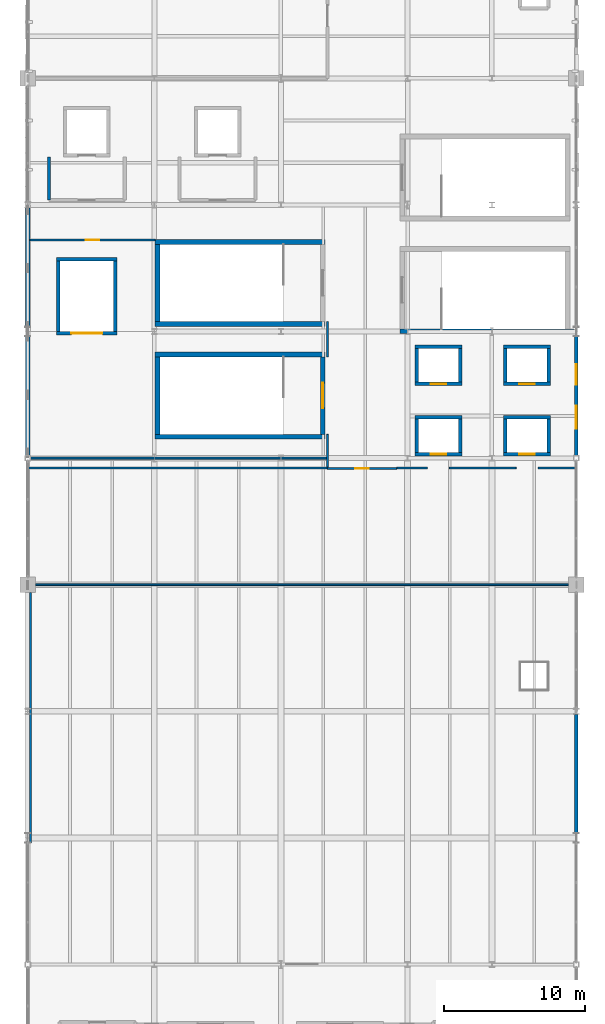
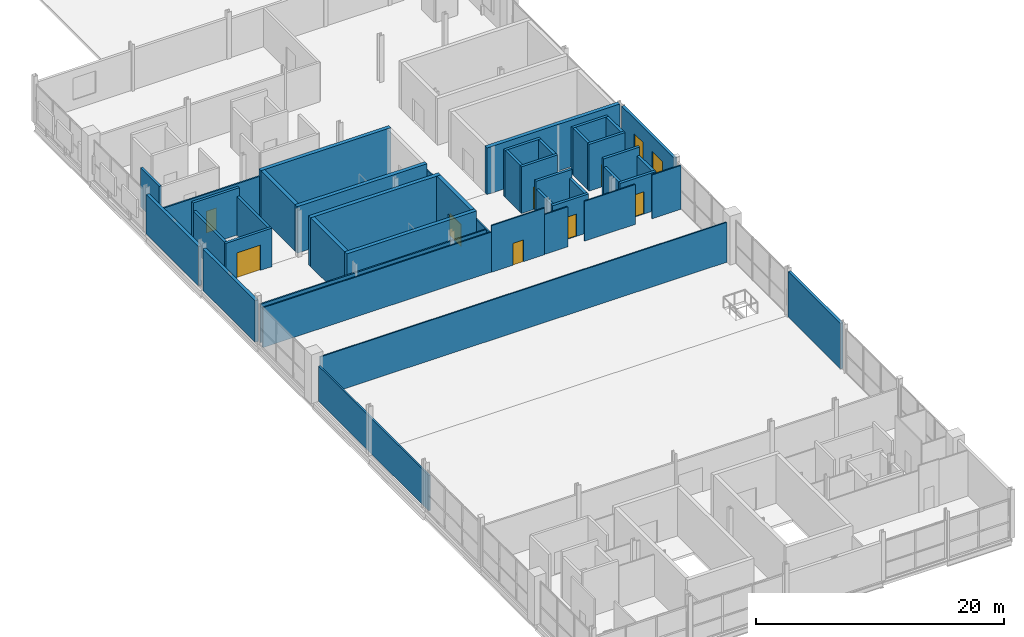
# One storey, part 25 of 29: 44 walls, 8 doors, 2 windows, 10 openings.
"""IFC4 building model written with IfcOpenShell, lengths in metres."""

from ifc_helpers import new_model, si_unit, direction, frame, frame_2d, origin, place, context, subcontext, project, spatial, rectangle, extrude, material, layer, layer_set, type_object, element, fill, save


model = new_model("IFC4")

# Units and contexts
model_context = context("Model", 3, precision=1e-05, world=origin(), true_north=direction((0.0, 1.0)))
body_context = subcontext(model_context, "Body", "Model", "MODEL_VIEW")
ifc_project = project(units=[si_unit("LENGTHUNIT", "METRE"), si_unit("AREAUNIT", "SQUARE_METRE"), si_unit("VOLUMEUNIT", "CUBIC_METRE"), si_unit("PLANEANGLEUNIT", "RADIAN"), si_unit("MASSUNIT", "GRAM", prefix="KILO")], contexts=[model_context])

# Site, building, storey
site_placement = place(None, origin())
site = spatial("IfcSite", under=ifc_project, at=site_placement, CompositionType="ELEMENT")
building_placement = place(site_placement, origin())
building = spatial("IfcBuilding", under=site, at=building_placement, Name="Qamarlyn Nura Convention Centre", CompositionType="ELEMENT")
storey_placement = place(building_placement, frame((0.0, 0.0, 25.199951171875)))
storey = spatial("IfcBuildingStorey", under=building, at=storey_placement, Name="L05", CompositionType="ELEMENT", Elevation=25.199951171875)

# Walls
ifc_material_1 = material(Name="Fire-rated acoustic gypsum board and mineral wool EI 120")
ifc_layer_1 = layer(ifc_material_1, 0.219970703125, Name="WT-COMP-220")
ifc_layer_set_1 = layer_set([ifc_layer_1], Name="Fire-rated acoustic gypsum board and mineral wool EI 120")
wall_type_1 = type_object("IfcWallType", Name="WT-COMP-220", PredefinedType="SOLIDWALL", material=ifc_layer_set_1)
wall_1_placement = place(storey_placement, frame((154.5, 72.35009765625, 0.0), z_axis=(0.0, 0.0, 1.0), x_axis=(0.0, 1.0, 0.0)))
element("IfcWall", 1, at=wall_1_placement, inside=storey, type_object=wall_type_1, Name="L05 firefighting lobby barrier wall FFL-03-W", PredefinedType="SOLIDWALL", context=body_context, shape_type="SweptSolid", body=[
    extrude(rectangle(XDim=3.0498046875, YDim=0.219970703125, at=frame_2d((1.52490234375, 0.0))), origin(), (0.0, 0.0, 1.0), 3.80712890625),
])
ifc_material_2 = material(Name="Concrete C50/60", Category="concrete")
ifc_layer_2 = layer(ifc_material_2, 0.35009765625, Name="WT-CORE-350")
ifc_layer_set_2 = layer_set([ifc_layer_2], Name="Concrete C50/60")
wall_type_2 = type_object("IfcWallType", Name="WT-CORE-350", PredefinedType="SHEAR", material=ifc_layer_set_2)
for number, where, z_axis, x_axis, name in (
    (2, (162.050048828125, 55.52490234375, 0.0), (0.0, 0.0, 1.0), (1.0, 0.0, 0.0), "L05 stair core shear wall ST-11-S"),
    (3, (174.14990234375, 61.375, 0.0), (0.0, 0.0, 1.0), (-1.0, 0.0, 0.0), "L05 stair core shear wall ST-11-N"),
):
    element("IfcWall", number, at=place(storey_placement, frame(where, z_axis=z_axis, x_axis=x_axis)), inside=storey, type_object=wall_type_2, Name=name, PredefinedType="SHEAR", context=body_context, shape_type="SweptSolid", body=[
        extrude(rectangle(XDim=12.099853515625, YDim=0.35009765625, at=frame_2d((6.0498046875, 0.0))), origin(), (0.0, 0.0, 1.0), 4.800048828125),
    ])
wall_2_placement = place(storey_placement, frame((162.22509765625, 61.199951171875, 0.0), z_axis=(0.0, 0.0, 1.0), x_axis=(0.0, -1.0, 0.0)))
element("IfcWall", 4, at=wall_2_placement, inside=storey, type_object=wall_type_2, Name="L05 stair core shear wall ST-11-W", PredefinedType="SHEAR", context=body_context, shape_type="SweptSolid", body=[
    extrude(rectangle(XDim=5.5, YDim=0.35009765625, at=frame_2d((2.75, 0.0))), origin(), (0.0, 0.0, 1.0), 4.800048828125),
])

# Wall, opening, door
wall_3_placement = place(storey_placement, frame((173.97509765625, 55.699951171875, 0.0), z_axis=(0.0, 0.0, 1.0), x_axis=(0.0, 1.0, 0.0)))
wall_3 = element("IfcWall", 5, at=wall_3_placement, inside=storey, type_object=wall_type_2, Name="L05 stair core shear wall ST-11-E", PredefinedType="SHEAR", context=body_context, shape_type="SweptSolid", body=[
    extrude(rectangle(XDim=5.5, YDim=0.35009765625, at=frame_2d((2.75, 0.0))), origin(), (0.0, 0.0, 1.0), 4.800048828125),
])
opening_1_placement = place(wall_3_placement, frame((1.85009765625, 0.0, 0.0)))
opening_1 = element("IfcOpeningElement", 6, at=opening_1_placement, cuts=wall_3, Name="Opening DS-049", PredefinedType="OPENING", context=body_context, shape_type="SweptSolid", body=[
    extrude(rectangle(XDim=1.800048828125, YDim=2.199951171875, at=frame_2d((0.89990234375, 1.10009765625))), frame((0.0, 0.18505859375, 0.0), z_axis=(0.0, -1.0, 0.0), x_axis=(1.0, 0.0, 0.0)), (0.0, 0.0, 1.0), 0.3701171875),
])
ifc_material_3 = material(Name="Galvanised fire-rated hollow steel door", Category="steel")
door_type_1 = type_object("IfcDoorType", Name="DR-STAIR-1800", OperationType="DOUBLE_DOOR_SINGLE_SWING", PredefinedType="DOOR", material=ifc_material_3)
door_1_placement = place(opening_1_placement, origin())
door_1 = element("IfcDoor", 7, at=door_1_placement, inside=storey, type_object=door_type_1, Name="L05 exit stair door ST-11 (DS-049)", OperationType="DOUBLE_DOOR_SINGLE_SWING", OverallHeight=2.199951171875, OverallWidth=1.800048828125, PredefinedType="DOOR", context=body_context, shape_type="SweptSolid", body=[
    extrude(rectangle(XDim=1.800048828125, YDim=2.199951171875, at=frame_2d((0.89990234375, 1.10009765625))), frame((0.0, 0.02490234375, 0.0), z_axis=(0.0, -1.0, 0.0), x_axis=(1.0, 0.0, 0.0)), (0.0, 0.0, 1.0), 0.050048828125),
])
fill(opening_1, door_1)

# Walls
for number, where, z_axis, x_axis, name in (
    (8, (162.050048828125, 63.52490234375, 0.0), (0.0, 0.0, 1.0), (1.0, 0.0, 0.0), "L05 stair core shear wall ST-12-S"),
    (9, (174.14990234375, 69.375, 0.0), (0.0, 0.0, 1.0), (-1.0, 0.0, 0.0), "L05 stair core shear wall ST-12-N"),
):
    element("IfcWall", number, at=place(storey_placement, frame(where, z_axis=z_axis, x_axis=x_axis)), inside=storey, type_object=wall_type_2, Name=name, PredefinedType="SHEAR", context=body_context, shape_type="SweptSolid", body=[
        extrude(rectangle(XDim=12.099853515625, YDim=0.35009765625, at=frame_2d((6.0498046875, 0.0))), origin(), (0.0, 0.0, 1.0), 4.594970703125),
    ])
wall_4_placement = place(storey_placement, frame((162.22509765625, 69.199951171875, 0.0), z_axis=(0.0, 0.0, 1.0), x_axis=(0.0, -1.0, 0.0)))
element("IfcWall", 10, at=wall_4_placement, inside=storey, type_object=wall_type_2, Name="L05 stair core shear wall ST-12-W", PredefinedType="SHEAR", context=body_context, shape_type="SweptSolid", body=[
    extrude(rectangle(XDim=5.5, YDim=0.35009765625, at=frame_2d((2.75, 0.0))), origin(), (0.0, 0.0, 1.0), 4.594970703125),
])
wall_5_placement = place(storey_placement, frame((179.449951171875, 63.02490234375, 0.0), z_axis=(0.0, 0.0, 1.0), x_axis=(1.0, 0.0, 0.0)))
element("IfcWall", 11, at=wall_5_placement, inside=storey, type_object=wall_type_2, Name="L05 stair core shear wall ST-13-S", PredefinedType="SHEAR", context=body_context, shape_type="SweptSolid", body=[
    extrude(rectangle(XDim=12.37255859375, YDim=0.35009765625, at=frame_2d((6.186279296875, 0.0))), origin(), (0.0, 0.0, 1.0), 4.594970703125),
])
ifc_material_4 = material(Name="Concrete C40/50", Category="concrete")
ifc_layer_3 = layer(ifc_material_4, 0.260009765625, Name="WT-EXT-260")
ifc_layer_set_3 = layer_set([ifc_layer_3], Name="Concrete C40/50")
wall_type_3 = type_object("IfcWallType", Name="WT-EXT-260", PredefinedType="SOLIDWALL", material=ifc_layer_set_3)
wall_6_placement = place(storey_placement, frame((192.0, 35.78759765625, 0.0), z_axis=(0.0, 0.0, 1.0), x_axis=(0.0, -1.0, 0.0)))
element("IfcWall", 12, at=wall_6_placement, inside=storey, type_object=wall_type_3, Name="L05 exterior facade wall WEXT-L05-1920-358-1920-273", PredefinedType="SOLIDWALL", context=body_context, shape_type="SweptSolid", body=[
    extrude(rectangle(XDim=8.440185546875, YDim=0.260009765625, at=frame_2d((4.22021484375, 0.0))), origin(), (0.0, 0.0, 1.0), 4.485107421875),
])

# Wall, openings, windows
wall_7_placement = place(storey_placement, frame((192.0, 62.652587890625, 0.0), z_axis=(0.0, 0.0, 1.0), x_axis=(0.0, -1.0, 0.0)))
wall_7 = element("IfcWall", 13, at=wall_7_placement, inside=storey, type_object=wall_type_3, Name="L05 exterior facade wall WEXT-L05-1920-627-1920-542", PredefinedType="SOLIDWALL", context=body_context, shape_type="SweptSolid", body=[
    extrude(rectangle(XDim=8.45263671875, YDim=0.260009765625, at=frame_2d((4.226318359375, 0.0))), origin(), (0.0, 0.0, 1.0), 4.485107421875),
])
opening_2_placement = place(wall_7_placement, frame((1.988037109375, 0.0, 0.949951171875)))
opening_2 = element("IfcOpeningElement", 14, at=opening_2_placement, cuts=wall_7, Name="Opening WN13", PredefinedType="OPENING", context=body_context, shape_type="SweptSolid", body=[
    extrude(rectangle(XDim=1.449951171875, YDim=2.050048828125, at=frame_2d((0.72509765625, 1.02490234375))), frame((0.0, 0.14013671875, 0.0), z_axis=(0.0, -1.0, 0.0), x_axis=(1.0, 0.0, 0.0)), (0.0, 0.0, 1.0), 0.280029296875),
])
opening_3_placement = place(wall_7_placement, frame((4.914306640625, 0.0, 0.949951171875)))
opening_3 = element("IfcOpeningElement", 15, at=opening_3_placement, cuts=wall_7, Name="Opening WN14", PredefinedType="OPENING", context=body_context, shape_type="SweptSolid", body=[
    extrude(rectangle(XDim=1.64990234375, YDim=2.050048828125, at=frame_2d((0.824951171875, 1.02490234375))), frame((0.0, 0.14013671875, 0.0), z_axis=(0.0, -1.0, 0.0), x_axis=(1.0, 0.0, 0.0)), (0.0, 0.0, 1.0), 0.280029296875),
])
ifc_material_5 = material(Name="Double-silver low-E insulated glass", Category="glass")
window_type_1 = type_object("IfcWindowType", Name="WIN-SOL-13", PartitioningType="SINGLE_PANEL", PredefinedType="WINDOW", material=ifc_material_5)
window_1_placement = place(opening_2_placement, origin())
window_1 = element("IfcWindow", 16, at=window_1_placement, inside=storey, type_object=window_type_1, Name="L05 solar-control window 061", OverallHeight=2.050048828125, OverallWidth=1.449951171875, PartitioningType="SINGLE_PANEL", PredefinedType="WINDOW", context=body_context, shape_type="SweptSolid", body=[
    extrude(rectangle(XDim=1.449951171875, YDim=2.050048828125, at=frame_2d((0.72509765625, 1.02490234375))), frame((0.0, 0.030029296875, 0.0), z_axis=(0.0, -1.0, 0.0), x_axis=(1.0, 0.0, 0.0)), (0.0, 0.0, 1.0), 0.06005859375),
])
fill(opening_2, window_1)
window_type_2 = type_object("IfcWindowType", Name="WIN-SOL-14", PartitioningType="SINGLE_PANEL", PredefinedType="WINDOW", material=ifc_material_5)
window_2_placement = place(opening_3_placement, origin())
window_2 = element("IfcWindow", 17, at=window_2_placement, inside=storey, type_object=window_type_2, Name="L05 solar-control window 062", OverallHeight=2.050048828125, OverallWidth=1.64990234375, PartitioningType="SINGLE_PANEL", PredefinedType="WINDOW", context=body_context, shape_type="SweptSolid", body=[
    extrude(rectangle(XDim=1.64990234375, YDim=2.050048828125, at=frame_2d((0.824951171875, 1.02490234375))), frame((0.0, 0.030029296875, 0.0), z_axis=(0.0, -1.0, 0.0), x_axis=(1.0, 0.0, 0.0)), (0.0, 0.0, 1.0), 0.06005859375),
])
fill(opening_3, window_2)

# Walls
ifc_material_6 = material(Name="Concrete C40/50 with UAE coastal limestone stone facing", Category="masonry")
ifc_layer_4 = layer(ifc_material_6, 0.300048828125, Name="WT-LIME-300")
ifc_layer_set_4 = layer_set([ifc_layer_4], Name="Concrete C40/50 with UAE coastal limestone stone facing")
wall_type_4 = type_object("IfcWallType", Name="WT-LIME-300", PredefinedType="SOLIDWALL", material=ifc_layer_set_4)
wall_8_placement = place(storey_placement, frame((153.0, 54.199951171875, 0.0), z_axis=(0.0, 0.0, 1.0), x_axis=(0.0, 1.0, 0.0)))
element("IfcWall", 18, at=wall_8_placement, inside=storey, type_object=wall_type_4, Name="L05 exterior facade wall WEXT-L05-1530-542-1530-627", PredefinedType="SOLIDWALL", context=body_context, shape_type="SweptSolid", body=[
    extrude(rectangle(XDim=8.45263671875, YDim=0.300048828125, at=frame_2d((4.226318359375, 0.0))), origin(), (0.0, 0.0, 1.0), 4.090087890625),
])
wall_9_placement = place(storey_placement, frame((153.0, 63.347412109375, 0.0), z_axis=(0.0, 0.0, 1.0), x_axis=(0.0, 1.0, 0.0)))
element("IfcWall", 19, at=wall_9_placement, inside=storey, type_object=wall_type_4, Name="L05 exterior facade wall WEXT-L05-1530-633-1530-718", PredefinedType="SOLIDWALL", context=body_context, shape_type="SweptSolid", body=[
    extrude(rectangle(XDim=8.440185546875, YDim=0.300048828125, at=frame_2d((4.22021484375, 0.0))), origin(), (0.0, 0.0, 1.0), 3.89599609375),
])
ifc_material_7 = material(Name="Acoustic double-stud gypsum partition")
ifc_layer_5 = layer(ifc_material_7, 0.1201171875, Name="WT-PART-120")
ifc_layer_set_5 = layer_set([ifc_layer_5], Name="Acoustic double-stud gypsum partition")
wall_type_5 = type_object("IfcWallType", Name="WT-PART-120", PredefinedType="PARTITIONING", material=ifc_layer_set_5)
wall_10_placement = place(storey_placement, frame((153.011962890625, 53.300048828125, 0.0), z_axis=(0.0, 0.0, 1.0), x_axis=(1.0, 0.0, 0.0)))
element("IfcWall", 20, at=wall_10_placement, inside=storey, type_object=wall_type_5, Name="L05 interior partition L05-PRV-ACOU-1-1", PredefinedType="PARTITIONING", context=body_context, shape_type="SweptSolid", body=[
    extrude(rectangle(XDim=21.298095703125, YDim=0.1201171875, at=frame_2d((10.64892578125, 0.0))), origin(), (0.0, 0.0, 1.0), 3.929931640625),
])

# Wall, opening, door
wall_11_placement = place(storey_placement, frame((174.31005859375, 53.260009765625, 0.0), z_axis=(0.0, 0.0, 1.0), x_axis=(1.0, 0.0, 0.0)))
wall_11 = element("IfcWall", 21, at=wall_11_placement, inside=storey, type_object=wall_type_5, Name="L05 interior partition L05-PRV-ACOU-18-1", PredefinedType="PARTITIONING", context=body_context, shape_type="SweptSolid", body=[
    extrude(rectangle(XDim=4.93994140625, YDim=0.1201171875, at=frame_2d((2.469970703125, 0.0))), origin(), (0.0, 0.0, 1.0), 4.60009765625),
])
opening_4_placement = place(wall_11_placement, frame((1.989990234375, 0.0, 0.0)))
opening_4 = element("IfcOpeningElement", 22, at=opening_4_placement, cuts=wall_11, Name="Opening D-L05-221", PredefinedType="OPENING", context=body_context, shape_type="SweptSolid", body=[
    extrude(rectangle(XDim=0.9599609375, YDim=2.14990234375, at=frame_2d((0.47998046875, 1.074951171875))), frame((0.0, 0.070068359375, 0.0), z_axis=(0.0, -1.0, 0.0), x_axis=(1.0, 0.0, 0.0)), (0.0, 0.0, 1.0), 0.14013671875),
])
ifc_material_8 = material(Name="Acoustic walnut timber leaf", Category="wood")
door_type_2 = type_object("IfcDoorType", Name="DR-ROOM-0960", OperationType="NOTDEFINED", PredefinedType="DOOR", material=ifc_material_8)
door_2_placement = place(opening_4_placement, origin())
door_2 = element("IfcDoor", 23, at=door_2_placement, inside=storey, type_object=door_type_2, Name="L05 Acoustic Preview Room door D-L05-221", OperationType="SINGLE_SWING_LEFT", OverallHeight=2.14990234375, OverallWidth=0.9599609375, PredefinedType="DOOR", context=body_context, shape_type="SweptSolid", body=[
    extrude(rectangle(XDim=0.9599609375, YDim=2.14990234375, at=frame_2d((0.47998046875, 1.074951171875))), frame((0.0, 0.02490234375, 0.0), z_axis=(0.0, -1.0, 0.0), x_axis=(1.0, 0.0, 0.0)), (0.0, 0.0, 1.0), 0.050048828125),
])
fill(opening_4, door_2)

# Walls
wall_12_placement = place(storey_placement, frame((179.25, 53.300048828125, 0.0), z_axis=(0.0, 0.0, 1.0), x_axis=(1.0, 0.0, 0.0)))
element("IfcWall", 24, at=wall_12_placement, inside=storey, type_object=wall_type_5, Name="L05 interior partition L05-PRV-ACOU-35-1", PredefinedType="PARTITIONING", context=body_context, shape_type="SweptSolid", body=[
    extrude(rectangle(XDim=2.168701171875, YDim=0.1201171875, at=frame_2d((1.08447265625, 0.0))), origin(), (0.0, 0.0, 1.0), 3.929931640625),
])
wall_13_placement = place(storey_placement, frame((182.981201171875, 53.300048828125, 0.0), z_axis=(0.0, 0.0, 1.0), x_axis=(1.0, 0.0, 0.0)))
element("IfcWall", 25, at=wall_13_placement, inside=storey, type_object=wall_type_5, Name="L05 interior partition L05-PRV-ACOU-35-2", PredefinedType="PARTITIONING", context=body_context, shape_type="SweptSolid", body=[
    extrude(rectangle(XDim=4.737548828125, YDim=0.1201171875, at=frame_2d((2.36865234375, 0.0))), origin(), (0.0, 0.0, 1.0), 3.929931640625),
])
wall_14_placement = place(storey_placement, frame((189.28125, 53.300048828125, 0.0), z_axis=(0.0, 0.0, 1.0), x_axis=(1.0, 0.0, 0.0)))
element("IfcWall", 26, at=wall_14_placement, inside=storey, type_object=wall_type_5, Name="L05 interior partition L05-PRV-ACOU-35-3", PredefinedType="PARTITIONING", context=body_context, shape_type="SweptSolid", body=[
    extrude(rectangle(XDim=2.706787109375, YDim=0.1201171875, at=frame_2d((1.353515625, 0.0))), origin(), (0.0, 0.0, 1.0), 4.319091796875),
])
wall_15_placement = place(storey_placement, frame((191.43994140625, 45.0, 0.0), z_axis=(0.0, 0.0, 1.0), x_axis=(-1.0, 0.0, 0.0)))
element("IfcWall", 27, at=wall_15_placement, inside=storey, type_object=wall_type_5, Name="L05 interior partition L05-PRV-ACOU-37-1", PredefinedType="PARTITIONING", context=body_context, shape_type="SweptSolid", body=[
    extrude(rectangle(XDim=37.8798828125, YDim=0.1201171875, at=frame_2d((18.93994140625, 0.0))), origin(), (0.0, 0.0, 1.0), 3.929931640625),
])

# Wall, opening, door
ifc_layer_6 = layer(ifc_material_7, 0.135009765625, Name="WT-PART-135")
ifc_layer_set_6 = layer_set([ifc_layer_6], Name="Acoustic double-stud gypsum partition")
wall_type_6 = type_object("IfcWallType", Name="WT-PART-135", PredefinedType="PARTITIONING", material=ifc_layer_set_6)
wall_16_placement = place(storey_placement, frame((153.14990234375, 69.510009765625, 0.0), z_axis=(0.0, 0.0, 1.0), x_axis=(1.0, 0.0, 0.0)))
wall_16 = element("IfcWall", 28, at=wall_16_placement, inside=storey, type_object=wall_type_6, Name="L05 interior partition L05-ADM-VENU-1-1", PredefinedType="PARTITIONING", context=body_context, shape_type="SweptSolid", body=[
    extrude(rectangle(XDim=8.900146484375, YDim=0.135009765625, at=frame_2d((4.4501953125, 0.0))), origin(), (0.0, 0.0, 1.0), 3.885009765625),
])
opening_5_placement = place(wall_16_placement, frame((3.97998046875, 0.0, 0.0)))
opening_5 = element("IfcOpeningElement", 29, at=opening_5_placement, cuts=wall_16, Name="Opening D-L05-222", PredefinedType="OPENING", context=body_context, shape_type="SweptSolid", body=[
    extrude(rectangle(XDim=0.93994140625, YDim=2.14990234375, at=frame_2d((0.469970703125, 1.074951171875))), frame((0.0, 0.07763671875, 0.0), z_axis=(0.0, -1.0, 0.0), x_axis=(1.0, 0.0, 0.0)), (0.0, 0.0, 1.0), 0.155029296875),
])
door_type_3 = type_object("IfcDoorType", Name="DR-ROOM-0940", OperationType="NOTDEFINED", PredefinedType="DOOR", material=ifc_material_8)
door_3_placement = place(opening_5_placement, origin())
door_3 = element("IfcDoor", 30, at=door_3_placement, inside=storey, type_object=door_type_3, Name="L05 Venue Administration Suite door D-L05-222", OperationType="SINGLE_SWING_RIGHT", OverallHeight=2.14990234375, OverallWidth=0.93994140625, PredefinedType="DOOR", context=body_context, shape_type="SweptSolid", body=[
    extrude(rectangle(XDim=0.93994140625, YDim=2.14990234375, at=frame_2d((0.469970703125, 1.074951171875))), frame((0.0, 0.02490234375, 0.0), z_axis=(0.0, -1.0, 0.0), x_axis=(1.0, 0.0, 0.0)), (0.0, 0.0, 1.0), 0.050048828125),
])
fill(opening_5, door_3)

# Walls
wall_17_placement = place(storey_placement, frame((174.31005859375, 63.699951171875, 0.0), z_axis=(0.0, 0.0, 1.0), x_axis=(0.0, -1.0, 0.0)))
element("IfcWall", 31, at=wall_17_placement, inside=storey, type_object=wall_type_6, Name="L05 interior partition L05-ADM-VENU-60-2", PredefinedType="PARTITIONING", context=body_context, shape_type="SweptSolid", body=[
    extrude(rectangle(XDim=2.5, YDim=0.135009765625, at=frame_2d((1.25, 0.0))), origin(), (0.0, 0.0, 1.0), 3.7939453125),
])
wall_18_placement = place(storey_placement, frame((174.31005859375, 55.699951171875, 0.0), z_axis=(0.0, 0.0, 1.0), x_axis=(0.0, -1.0, 0.0)))
element("IfcWall", 32, at=wall_18_placement, inside=storey, type_object=wall_type_6, Name="L05 interior partition L05-ADM-VENU-60-3", PredefinedType="PARTITIONING", context=body_context, shape_type="SweptSolid", body=[
    extrude(rectangle(XDim=2.33984375, YDim=0.135009765625, at=frame_2d((1.169921875, 0.0))), origin(), (0.0, 0.0, 1.0), 3.7939453125),
])
wall_19_placement = place(storey_placement, frame((174.31005859375, 54.0, 0.0), z_axis=(0.0, 0.0, 1.0), x_axis=(-1.0, 0.0, 0.0)))
element("IfcWall", 33, at=wall_19_placement, inside=storey, type_object=wall_type_6, Name="L05 interior partition L05-ADM-VENU-61-1", PredefinedType="PARTITIONING", context=body_context, shape_type="SweptSolid", body=[
    extrude(rectangle(XDim=21.10009765625, YDim=0.135009765625, at=frame_2d((10.550048828125, 0.0))), origin(), (0.0, 0.0, 1.0), 3.7939453125),
])
ifc_material_9 = material(Name="Fire-rated acoustic gypsum board EI 60")
ifc_layer_7 = layer(ifc_material_9, 0.159912109375, Name="WT-PART-160")
ifc_layer_set_7 = layer_set([ifc_layer_7], Name="Fire-rated acoustic gypsum board EI 60")
wall_type_7 = type_object("IfcWallType", Name="WT-PART-160", PredefinedType="PARTITIONING", material=ifc_layer_set_7)
wall_20_placement = place(storey_placement, frame((153.199951171875, 26.652587890625, 0.0), z_axis=(0.0, 0.0, 1.0), x_axis=(0.0, 1.0, 0.0)))
element("IfcWall", 34, at=wall_20_placement, inside=storey, type_object=wall_type_7, Name="L05 interior partition L05-FRM-CONG-4-2", PredefinedType="PARTITIONING", context=body_context, shape_type="SweptSolid", body=[
    extrude(rectangle(XDim=17.787353515625, YDim=0.159912109375, at=frame_2d((8.8935546875, 0.0))), origin(), (0.0, 0.0, 1.0), 3.4931640625),
])

# Wall, opening, door
ifc_layer_8 = layer(ifc_material_1, 0.25, Name="WT-SHAFT-250")
ifc_layer_set_8 = layer_set([ifc_layer_8], Name="Fire-rated acoustic gypsum board and mineral wool EI 120")
wall_type_8 = type_object("IfcWallType", Name="WT-SHAFT-250", PredefinedType="SOLIDWALL", material=ifc_layer_set_8)
wall_21_placement = place(storey_placement, frame((180.52490234375, 59.27490234375, 0.0), z_axis=(0.0, 0.0, 1.0), x_axis=(1.0, 0.0, 0.0)))
wall_21 = element("IfcWall", 35, at=wall_21_placement, inside=storey, type_object=wall_type_8, Name="L05 lift shaft enclosure wall PL-01 -y", PredefinedType="SOLIDWALL", context=body_context, shape_type="SweptSolid", body=[
    extrude(rectangle(XDim=3.35009765625, YDim=0.25, at=frame_2d((1.675048828125, 0.0))), origin(), (0.0, 0.0, 1.0), 4.60009765625),
])
opening_6_placement = place(wall_21_placement, frame((1.125, 0.0, 0.0)))
opening_6 = element("IfcOpeningElement", 36, at=opening_6_placement, cuts=wall_21, Name="Opening LD-PL-01-L05", PredefinedType="OPENING", context=body_context, shape_type="SweptSolid", body=[
    extrude(rectangle(XDim=1.10009765625, YDim=2.199951171875, at=frame_2d((0.550048828125, 1.10009765625))), frame((0.0, 0.135009765625, 0.0), z_axis=(0.0, -1.0, 0.0), x_axis=(1.0, 0.0, 0.0)), (0.0, 0.0, 1.0), 0.27001953125),
])
ifc_material_10 = material(Name="Marine Grade 316 stainless steel", Category="steel")
door_type_4 = type_object("IfcDoorType", Name="DR-LD-PAX", OperationType="DOUBLE_DOOR_SLIDING", PredefinedType="DOOR", material=ifc_material_10)
door_4_placement = place(opening_6_placement, origin())
door_4 = element("IfcDoor", 37, at=door_4_placement, inside=storey, type_object=door_type_4, Name="Lift landing door LD-PL-01-L05", OperationType="DOUBLE_DOOR_SLIDING", OverallHeight=2.199951171875, OverallWidth=1.10009765625, PredefinedType="DOOR", context=body_context, shape_type="SweptSolid", body=[
    extrude(rectangle(XDim=1.10009765625, YDim=2.199951171875, at=frame_2d((0.550048828125, 1.10009765625))), frame((0.0, 0.02490234375, 0.0), z_axis=(0.0, -1.0, 0.0), x_axis=(1.0, 0.0, 0.0)), (0.0, 0.0, 1.0), 0.050048828125),
])
fill(opening_6, door_4)

# Walls
wall_22_placement = place(storey_placement, frame((183.875, 61.925048828125, 0.0), z_axis=(0.0, 0.0, 1.0), x_axis=(-1.0, 0.0, 0.0)))
element("IfcWall", 38, at=wall_22_placement, inside=storey, type_object=wall_type_8, Name="L05 lift shaft enclosure wall PL-01 +y", PredefinedType="SOLIDWALL", context=body_context, shape_type="SweptSolid", body=[
    extrude(rectangle(XDim=3.35009765625, YDim=0.25, at=frame_2d((1.675048828125, 0.0))), origin(), (0.0, 0.0, 1.0), 4.60009765625),
])
for number, where, z_axis, x_axis, name in (
    (39, (180.64990234375, 61.800048828125, 0.0), (0.0, 0.0, 1.0), (0.0, -1.0, 0.0), "L05 lift shaft enclosure wall PL-01 -x"),
    (40, (183.75, 59.39990234375, 0.0), (0.0, 0.0, 1.0), (0.0, 1.0, 0.0), "L05 lift shaft enclosure wall PL-01 +x"),
):
    element("IfcWall", number, at=place(storey_placement, frame(where, z_axis=z_axis, x_axis=x_axis)), inside=storey, type_object=wall_type_8, Name=name, PredefinedType="SOLIDWALL", context=body_context, shape_type="SweptSolid", body=[
        extrude(rectangle(XDim=2.400146484375, YDim=0.25, at=frame_2d((1.2001953125, 0.0))), origin(), (0.0, 0.0, 1.0), 4.60009765625),
    ])

# Wall, opening, door
wall_23_placement = place(storey_placement, frame((186.824951171875, 59.27490234375, 0.0), z_axis=(0.0, 0.0, 1.0), x_axis=(1.0, 0.0, 0.0)))
wall_23 = element("IfcWall", 41, at=wall_23_placement, inside=storey, type_object=wall_type_8, Name="L05 lift shaft enclosure wall PL-02 -y", PredefinedType="SOLIDWALL", context=body_context, shape_type="SweptSolid", body=[
    extrude(rectangle(XDim=3.35009765625, YDim=0.25, at=frame_2d((1.675048828125, 0.0))), origin(), (0.0, 0.0, 1.0), 4.60009765625),
])
opening_7_placement = place(wall_23_placement, frame((1.125, 0.0, 0.0)))
opening_7 = element("IfcOpeningElement", 42, at=opening_7_placement, cuts=wall_23, Name="Opening LD-PL-02-L05", PredefinedType="OPENING", context=body_context, shape_type="SweptSolid", body=[
    extrude(rectangle(XDim=1.10009765625, YDim=2.199951171875, at=frame_2d((0.550048828125, 1.10009765625))), frame((0.0, 0.135009765625, 0.0), z_axis=(0.0, -1.0, 0.0), x_axis=(1.0, 0.0, 0.0)), (0.0, 0.0, 1.0), 0.27001953125),
])
door_5_placement = place(opening_7_placement, origin())
door_5 = element("IfcDoor", 43, at=door_5_placement, inside=storey, type_object=door_type_4, Name="Lift landing door LD-PL-02-L05", OperationType="DOUBLE_DOOR_SLIDING", OverallHeight=2.199951171875, OverallWidth=1.10009765625, PredefinedType="DOOR", context=body_context, shape_type="SweptSolid", body=[
    extrude(rectangle(XDim=1.10009765625, YDim=2.199951171875, at=frame_2d((0.550048828125, 1.10009765625))), frame((0.0, 0.02490234375, 0.0), z_axis=(0.0, -1.0, 0.0), x_axis=(1.0, 0.0, 0.0)), (0.0, 0.0, 1.0), 0.050048828125),
])
fill(opening_7, door_5)

# Walls
wall_24_placement = place(storey_placement, frame((190.175048828125, 61.925048828125, 0.0), z_axis=(0.0, 0.0, 1.0), x_axis=(-1.0, 0.0, 0.0)))
element("IfcWall", 44, at=wall_24_placement, inside=storey, type_object=wall_type_8, Name="L05 lift shaft enclosure wall PL-02 +y", PredefinedType="SOLIDWALL", context=body_context, shape_type="SweptSolid", body=[
    extrude(rectangle(XDim=3.35009765625, YDim=0.25, at=frame_2d((1.675048828125, 0.0))), origin(), (0.0, 0.0, 1.0), 4.60009765625),
])
for number, where, z_axis, x_axis, name in (
    (45, (186.949951171875, 61.800048828125, 0.0), (0.0, 0.0, 1.0), (0.0, -1.0, 0.0), "L05 lift shaft enclosure wall PL-02 -x"),
    (46, (190.050048828125, 59.39990234375, 0.0), (0.0, 0.0, 1.0), (0.0, 1.0, 0.0), "L05 lift shaft enclosure wall PL-02 +x"),
):
    element("IfcWall", number, at=place(storey_placement, frame(where, z_axis=z_axis, x_axis=x_axis)), inside=storey, type_object=wall_type_8, Name=name, PredefinedType="SOLIDWALL", context=body_context, shape_type="SweptSolid", body=[
        extrude(rectangle(XDim=2.400146484375, YDim=0.25, at=frame_2d((1.2001953125, 0.0))), origin(), (0.0, 0.0, 1.0), 4.60009765625),
    ])

# Wall, opening, door
wall_25_placement = place(storey_placement, frame((180.52490234375, 54.27490234375, 0.0), z_axis=(0.0, 0.0, 1.0), x_axis=(1.0, 0.0, 0.0)))
wall_25 = element("IfcWall", 47, at=wall_25_placement, inside=storey, type_object=wall_type_8, Name="L05 lift shaft enclosure wall PL-03 -y", PredefinedType="SOLIDWALL", context=body_context, shape_type="SweptSolid", body=[
    extrude(rectangle(XDim=3.35009765625, YDim=0.25, at=frame_2d((1.675048828125, 0.0))), origin(), (0.0, 0.0, 1.0), 3.7939453125),
])
opening_8_placement = place(wall_25_placement, frame((1.125, 0.0, 0.0)))
opening_8 = element("IfcOpeningElement", 48, at=opening_8_placement, cuts=wall_25, Name="Opening LD-PL-03-L05", PredefinedType="OPENING", context=body_context, shape_type="SweptSolid", body=[
    extrude(rectangle(XDim=1.10009765625, YDim=2.199951171875, at=frame_2d((0.550048828125, 1.10009765625))), frame((0.0, 0.135009765625, 0.0), z_axis=(0.0, -1.0, 0.0), x_axis=(1.0, 0.0, 0.0)), (0.0, 0.0, 1.0), 0.27001953125),
])
door_6_placement = place(opening_8_placement, origin())
door_6 = element("IfcDoor", 49, at=door_6_placement, inside=storey, type_object=door_type_4, Name="Lift landing door LD-PL-03-L05", OperationType="DOUBLE_DOOR_SLIDING", OverallHeight=2.199951171875, OverallWidth=1.10009765625, PredefinedType="DOOR", context=body_context, shape_type="SweptSolid", body=[
    extrude(rectangle(XDim=1.10009765625, YDim=2.199951171875, at=frame_2d((0.550048828125, 1.10009765625))), frame((0.0, 0.02490234375, 0.0), z_axis=(0.0, -1.0, 0.0), x_axis=(1.0, 0.0, 0.0)), (0.0, 0.0, 1.0), 0.050048828125),
])
fill(opening_8, door_6)

# Walls
wall_26_placement = place(storey_placement, frame((183.875, 56.925048828125, 0.0), z_axis=(0.0, 0.0, 1.0), x_axis=(-1.0, 0.0, 0.0)))
element("IfcWall", 50, at=wall_26_placement, inside=storey, type_object=wall_type_8, Name="L05 lift shaft enclosure wall PL-03 +y", PredefinedType="SOLIDWALL", context=body_context, shape_type="SweptSolid", body=[
    extrude(rectangle(XDim=3.35009765625, YDim=0.25, at=frame_2d((1.675048828125, 0.0))), origin(), (0.0, 0.0, 1.0), 4.60009765625),
])
for number, where, z_axis, x_axis, name in (
    (51, (180.64990234375, 56.800048828125, 0.0), (0.0, 0.0, 1.0), (0.0, -1.0, 0.0), "L05 lift shaft enclosure wall PL-03 -x"),
    (52, (183.75, 54.39990234375, 0.0), (0.0, 0.0, 1.0), (0.0, 1.0, 0.0), "L05 lift shaft enclosure wall PL-03 +x"),
):
    element("IfcWall", number, at=place(storey_placement, frame(where, z_axis=z_axis, x_axis=x_axis)), inside=storey, type_object=wall_type_8, Name=name, PredefinedType="SOLIDWALL", context=body_context, shape_type="SweptSolid", body=[
        extrude(rectangle(XDim=2.400146484375, YDim=0.25, at=frame_2d((1.2001953125, 0.0))), origin(), (0.0, 0.0, 1.0), 3.7939453125),
    ])

# Wall, opening, door
wall_27_placement = place(storey_placement, frame((186.824951171875, 54.27490234375, 0.0), z_axis=(0.0, 0.0, 1.0), x_axis=(1.0, 0.0, 0.0)))
wall_27 = element("IfcWall", 53, at=wall_27_placement, inside=storey, type_object=wall_type_8, Name="L05 lift shaft enclosure wall PL-04 -y", PredefinedType="SOLIDWALL", context=body_context, shape_type="SweptSolid", body=[
    extrude(rectangle(XDim=3.35009765625, YDim=0.25, at=frame_2d((1.675048828125, 0.0))), origin(), (0.0, 0.0, 1.0), 3.7939453125),
])
opening_9_placement = place(wall_27_placement, frame((1.125, 0.0, 0.0)))
opening_9 = element("IfcOpeningElement", 54, at=opening_9_placement, cuts=wall_27, Name="Opening LD-PL-04-L05", PredefinedType="OPENING", context=body_context, shape_type="SweptSolid", body=[
    extrude(rectangle(XDim=1.10009765625, YDim=2.199951171875, at=frame_2d((0.550048828125, 1.10009765625))), frame((0.0, 0.135009765625, 0.0), z_axis=(0.0, -1.0, 0.0), x_axis=(1.0, 0.0, 0.0)), (0.0, 0.0, 1.0), 0.27001953125),
])
door_7_placement = place(opening_9_placement, origin())
door_7 = element("IfcDoor", 55, at=door_7_placement, inside=storey, type_object=door_type_4, Name="Lift landing door LD-PL-04-L05", OperationType="DOUBLE_DOOR_SLIDING", OverallHeight=2.199951171875, OverallWidth=1.10009765625, PredefinedType="DOOR", context=body_context, shape_type="SweptSolid", body=[
    extrude(rectangle(XDim=1.10009765625, YDim=2.199951171875, at=frame_2d((0.550048828125, 1.10009765625))), frame((0.0, 0.02490234375, 0.0), z_axis=(0.0, -1.0, 0.0), x_axis=(1.0, 0.0, 0.0)), (0.0, 0.0, 1.0), 0.050048828125),
])
fill(opening_9, door_7)

# Walls
wall_28_placement = place(storey_placement, frame((190.175048828125, 56.925048828125, 0.0), z_axis=(0.0, 0.0, 1.0), x_axis=(-1.0, 0.0, 0.0)))
element("IfcWall", 56, at=wall_28_placement, inside=storey, type_object=wall_type_8, Name="L05 lift shaft enclosure wall PL-04 +y", PredefinedType="SOLIDWALL", context=body_context, shape_type="SweptSolid", body=[
    extrude(rectangle(XDim=3.35009765625, YDim=0.25, at=frame_2d((1.675048828125, 0.0))), origin(), (0.0, 0.0, 1.0), 4.60009765625),
])
for number, where, z_axis, x_axis, name in (
    (57, (186.949951171875, 56.800048828125, 0.0), (0.0, 0.0, 1.0), (0.0, -1.0, 0.0), "L05 lift shaft enclosure wall PL-04 -x"),
    (58, (190.050048828125, 54.39990234375, 0.0), (0.0, 0.0, 1.0), (0.0, 1.0, 0.0), "L05 lift shaft enclosure wall PL-04 +x"),
):
    element("IfcWall", number, at=place(storey_placement, frame(where, z_axis=z_axis, x_axis=x_axis)), inside=storey, type_object=wall_type_8, Name=name, PredefinedType="SOLIDWALL", context=body_context, shape_type="SweptSolid", body=[
        extrude(rectangle(XDim=2.400146484375, YDim=0.25, at=frame_2d((1.2001953125, 0.0))), origin(), (0.0, 0.0, 1.0), 3.7939453125),
    ])

# Wall, opening, door
wall_29_placement = place(storey_placement, frame((155.050048828125, 62.875, 0.0), z_axis=(0.0, 0.0, 1.0), x_axis=(1.0, 0.0, 0.0)))
wall_29 = element("IfcWall", 59, at=wall_29_placement, inside=storey, type_object=wall_type_8, Name="L05 lift shaft enclosure wall FL-04 -y", PredefinedType="SOLIDWALL", context=body_context, shape_type="SweptSolid", body=[
    extrude(rectangle(XDim=4.300048828125, YDim=0.25, at=frame_2d((2.14990234375, 0.0))), origin(), (0.0, 0.0, 1.0), 3.7939453125),
])
opening_10_placement = place(wall_29_placement, frame((1.050048828125, 0.0, 0.0)))
opening_10 = element("IfcOpeningElement", 60, at=opening_10_placement, cuts=wall_29, Name="Opening LD-FL-04-L05", PredefinedType="OPENING", context=body_context, shape_type="SweptSolid", body=[
    extrude(rectangle(XDim=2.199951171875, YDim=2.5, at=frame_2d((1.10009765625, 1.25))), frame((0.0, 0.135009765625, 0.0), z_axis=(0.0, -1.0, 0.0), x_axis=(1.0, 0.0, 0.0)), (0.0, 0.0, 1.0), 0.27001953125),
])
door_type_5 = type_object("IfcDoorType", Name="DR-LD-FRT", OperationType="DOUBLE_DOOR_SLIDING", PredefinedType="DOOR", material=ifc_material_3)
door_8_placement = place(opening_10_placement, origin())
door_8 = element("IfcDoor", 61, at=door_8_placement, inside=storey, type_object=door_type_5, Name="Lift landing door LD-FL-04-L05", OperationType="DOUBLE_DOOR_SLIDING", OverallHeight=2.5, OverallWidth=2.199951171875, PredefinedType="DOOR", context=body_context, shape_type="SweptSolid", body=[
    extrude(rectangle(XDim=2.199951171875, YDim=2.5, at=frame_2d((1.10009765625, 1.25))), frame((0.0, 0.02490234375, 0.0), z_axis=(0.0, -1.0, 0.0), x_axis=(1.0, 0.0, 0.0)), (0.0, 0.0, 1.0), 0.050048828125),
])
fill(opening_10, door_8)

# Walls
wall_30_placement = place(storey_placement, frame((159.35009765625, 68.125, 0.0), z_axis=(0.0, 0.0, 1.0), x_axis=(-1.0, 0.0, 0.0)))
element("IfcWall", 62, at=wall_30_placement, inside=storey, type_object=wall_type_8, Name="L05 lift shaft enclosure wall FL-04 +y", PredefinedType="SOLIDWALL", context=body_context, shape_type="SweptSolid", body=[
    extrude(rectangle(XDim=4.300048828125, YDim=0.25, at=frame_2d((2.14990234375, 0.0))), origin(), (0.0, 0.0, 1.0), 4.60009765625),
])
for number, where, z_axis, x_axis, name in (
    (63, (155.175048828125, 68.0, 0.0), (0.0, 0.0, 1.0), (0.0, -1.0, 0.0), "L05 lift shaft enclosure wall FL-04 -x"),
    (64, (159.22509765625, 63.0, 0.0), (0.0, 0.0, 1.0), (0.0, 1.0, 0.0), "L05 lift shaft enclosure wall FL-04 +x"),
):
    element("IfcWall", number, at=place(storey_placement, frame(where, z_axis=z_axis, x_axis=x_axis)), inside=storey, type_object=wall_type_8, Name=name, PredefinedType="SOLIDWALL", context=body_context, shape_type="SweptSolid", body=[
        extrude(rectangle(XDim=5.0, YDim=0.25, at=frame_2d((2.5, 0.0))), origin(), (0.0, 0.0, 1.0), 3.7939453125),
    ])

save(model, "model.ifc")
